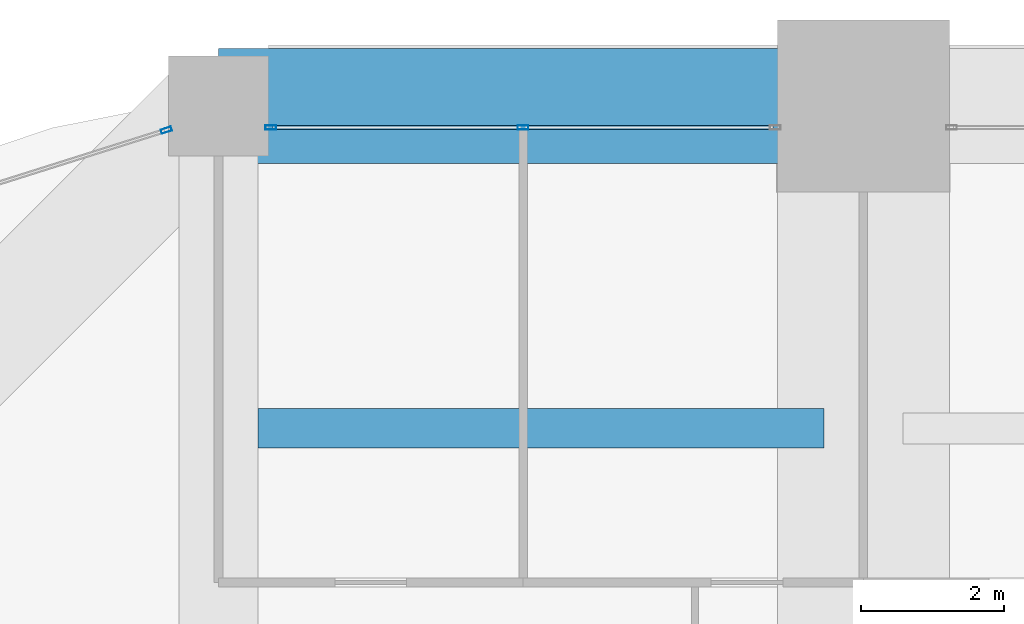
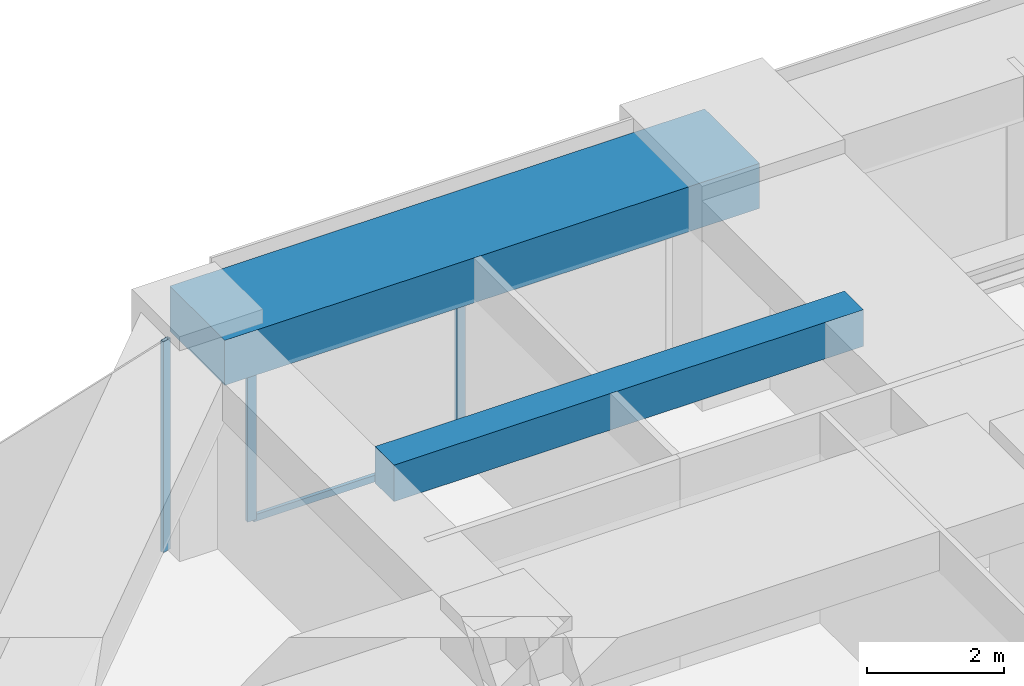
# One storey, part 22 of 35: 4 members, 2 beams, 2 elements without a shape of their own.
"""IFC4 building model written with IfcOpenShell, lengths in metres."""

from ifc_helpers import new_model, si_unit, direction, frame, origin, origin_2d, place, context, subcontext, project, spatial, rectangle, hollow_rectangle, extrude, material, material_profile, profile_set, type_object, element, aggregate, save


model = new_model("IFC4")

# Units and contexts
model_context = context("Model", 3, precision=1e-05, world=origin(), true_north=direction((0.0, 1.0)))
body_context = subcontext(model_context, "Body", "Model", "MODEL_VIEW")
ifc_project = project(units=[si_unit("LENGTHUNIT", "METRE"), si_unit("AREAUNIT", "SQUARE_METRE"), si_unit("VOLUMEUNIT", "CUBIC_METRE"), si_unit("PLANEANGLEUNIT", "RADIAN"), si_unit("MASSUNIT", "GRAM", prefix="KILO")], contexts=[model_context])

# Site, building, storey
site_placement = place(None, origin())
site = spatial("IfcSite", under=ifc_project, at=site_placement, CompositionType="ELEMENT")
building_placement = place(site_placement, origin())
building = spatial("IfcBuilding", under=site, at=building_placement, Name="Zorevar Civic Tower", CompositionType="ELEMENT")
storey_placement = place(building_placement, frame((0.0, 0.0, 222.199951171875)))
storey = spatial("IfcBuildingStorey", under=building, at=storey_placement, Name="L54", CompositionType="ELEMENT", Elevation=222.199951171875)

# Beam
ifc_material_1 = material(Name="Concrete C50/60", Category="concrete")
ifc_material_profile_1 = material_profile(ifc_material_1, rectangle(XDim=0.550048828125, YDim=0.64990234375, at=origin_2d()), Name="RC 550x650")
ifc_profile_set_1 = profile_set([ifc_material_profile_1], Name="Concrete C50/60")
beam_type_1 = type_object("IfcBeamType", Name="Beam RC 550x650", PredefinedType="BEAM", material=ifc_profile_set_1)
beam_1_placement = place(storey_placement, frame((9.550048828125, 40.5, 3.425048828125), z_axis=(1.0, 0.0, 0.0), x_axis=(0.0, 1.0, 0.0)))
element("IfcBeam", 1, at=beam_1_placement, inside=storey, type_object=beam_type_1, Name="Secondary beam L55", PredefinedType="BEAM", context=body_context, shape_type="SweptSolid", body=[
    extrude(rectangle(XDim=0.550048828125, YDim=0.64990234375, at=origin_2d()), origin(), (0.0, 0.0, 1.0), 7.89990234375),
])

# Curtain wall, members
ifc_material_2 = material(Name="Dark grey solar-control glass in black aluminium frame", Category="aluminium")
curtain_wall_type = type_object("IfcCurtainWallType", Name="Curtain wall CW4 high zone", PredefinedType="NOTDEFINED", material=ifc_material_2)
curtain_wall_1_placement = place(storey_placement, origin())
curtain_wall_1 = element("IfcCurtainWall", 2, at=curtain_wall_1_placement, inside=storey, type_object=curtain_wall_type, Name="CW4 L54", PredefinedType="NOTDEFINED")
ifc_material_3 = material(Name="Aluminium, black anodised", Category="aluminium")
ifc_material_profile_2 = material_profile(ifc_material_3, hollow_rectangle(XDim=0.06005859375, YDim=0.14990234375, WallThickness=0.00390625, at=origin_2d()), Name="AL 150x60x4")
ifc_profile_set_2 = profile_set([ifc_material_profile_2], Name="Aluminium, black anodised")
member_type_1 = type_object("IfcMemberType", Name="CW4 mullion AL 150x60x4", PredefinedType="MULLION", material=ifc_profile_set_2)
member_1_placement = place(storey_placement, frame((9.72998046875, 44.699951171875, 0.0), z_axis=(0.0, 0.0, 1.0), x_axis=(0.0, 1.0, 0.0)))
member_1 = element("IfcMember", 3, at=member_1_placement, type_object=member_type_1, Name="CW4 mullion 1", PredefinedType="MULLION", context=body_context, shape_type="SweptSolid", body=[
    extrude(hollow_rectangle(XDim=0.06005859375, YDim=0.14990234375, WallThickness=0.00390625, at=origin_2d()), origin(), (0.0, 0.0, 1.0), 2.949951171875),
])
member_2_placement = place(storey_placement, frame((13.25, 44.699951171875, 0.06005859375), z_axis=(0.0, 0.0, 1.0), x_axis=(0.0, 1.0, 0.0)))
member_2 = element("IfcMember", 4, at=member_2_placement, type_object=member_type_1, Name="CW4 mullion 2", PredefinedType="MULLION", context=body_context, shape_type="SweptSolid", body=[
    extrude(hollow_rectangle(XDim=0.06005859375, YDim=0.14990234375, WallThickness=0.00390625, at=origin_2d()), origin(), (0.0, 0.0, 1.0), 2.889892578125),
])

# Curtain wall, member
curtain_wall_2_placement = place(storey_placement, origin())
curtain_wall_2 = element("IfcCurtainWall", 5, at=curtain_wall_2_placement, inside=storey, type_object=curtain_wall_type, Name="CW4 L54", PredefinedType="NOTDEFINED")
member_3_placement = place(storey_placement, frame((8.271484375, 44.66259765625, 0.0), z_axis=(0.0, 0.0, 1.0), x_axis=(0.301108296077, -0.953589950678, 0.0)))
member_3 = element("IfcMember", 6, at=member_3_placement, type_object=member_type_1, Name="CW4 mullion 1", PredefinedType="MULLION", context=body_context, shape_type="SweptSolid", body=[
    extrude(hollow_rectangle(XDim=0.06005859375, YDim=0.14990234375, WallThickness=0.00390625, at=origin_2d()), origin(), (0.0, 0.0, 1.0), 3.75),
])
aggregate(curtain_wall_2, [member_3])

# Member
ifc_material_4 = material(Name="Aluminium, black anodised", Category="aluminium")
ifc_material_profile_3 = material_profile(ifc_material_4, hollow_rectangle(XDim=0.06005859375, YDim=0.1201171875, WallThickness=0.0029296875, at=origin_2d()), Name="AL 120x60x3")
ifc_profile_set_3 = profile_set([ifc_material_profile_3], Name="Aluminium, black anodised")
member_type_2 = type_object("IfcMemberType", Name="CW4 transom AL 120x60x3", PredefinedType="USERDEFINED", material=ifc_profile_set_3)
member_4_placement = place(storey_placement, frame((9.760009765625, 44.699951171875, 0.030029296875), z_axis=(1.0, 0.0, 0.0), x_axis=(0.0, 1.0, 0.0)))
member_4 = element("IfcMember", 7, at=member_4_placement, type_object=member_type_2, Name="CW4 sill transom", ObjectType="TRANSOM", PredefinedType="USERDEFINED", context=body_context, shape_type="SweptSolid", body=[
    extrude(hollow_rectangle(XDim=0.06005859375, YDim=0.1201171875, WallThickness=0.0029296875, at=origin_2d()), origin(), (0.0, 0.0, 1.0), 6.97998046875),
])

aggregate(curtain_wall_1, [member_1, member_2, member_4])

# Beam
ifc_material_5 = material(Name="Concrete C50/60", Category="concrete")
ifc_material_profile_4 = material_profile(ifc_material_5, rectangle(XDim=1.60009765625, YDim=0.800048828125, at=origin_2d()), Name="RC 1600x800")
ifc_profile_set_4 = profile_set([ifc_material_profile_4], Name="Concrete C50/60")
beam_type_2 = type_object("IfcBeamType", Name="Edge beam RC 1600x800", PredefinedType="SPANDREL", material=ifc_profile_set_4)
beam_2_placement = place(storey_placement, frame((9.0, 45.0, 3.35009765625), z_axis=(1.0, 0.0, 0.0), x_axis=(0.0, 1.0, 0.0)))
element("IfcBeam", 8, at=beam_2_placement, inside=storey, type_object=beam_type_2, Name="Edge beam L55", PredefinedType="SPANDREL", context=body_context, shape_type="SweptSolid", body=[
    extrude(rectangle(XDim=1.60009765625, YDim=0.800048828125, at=origin_2d()), origin(), (0.0, 0.0, 1.0), 9.0),
])

save(model, "model.ifc")
